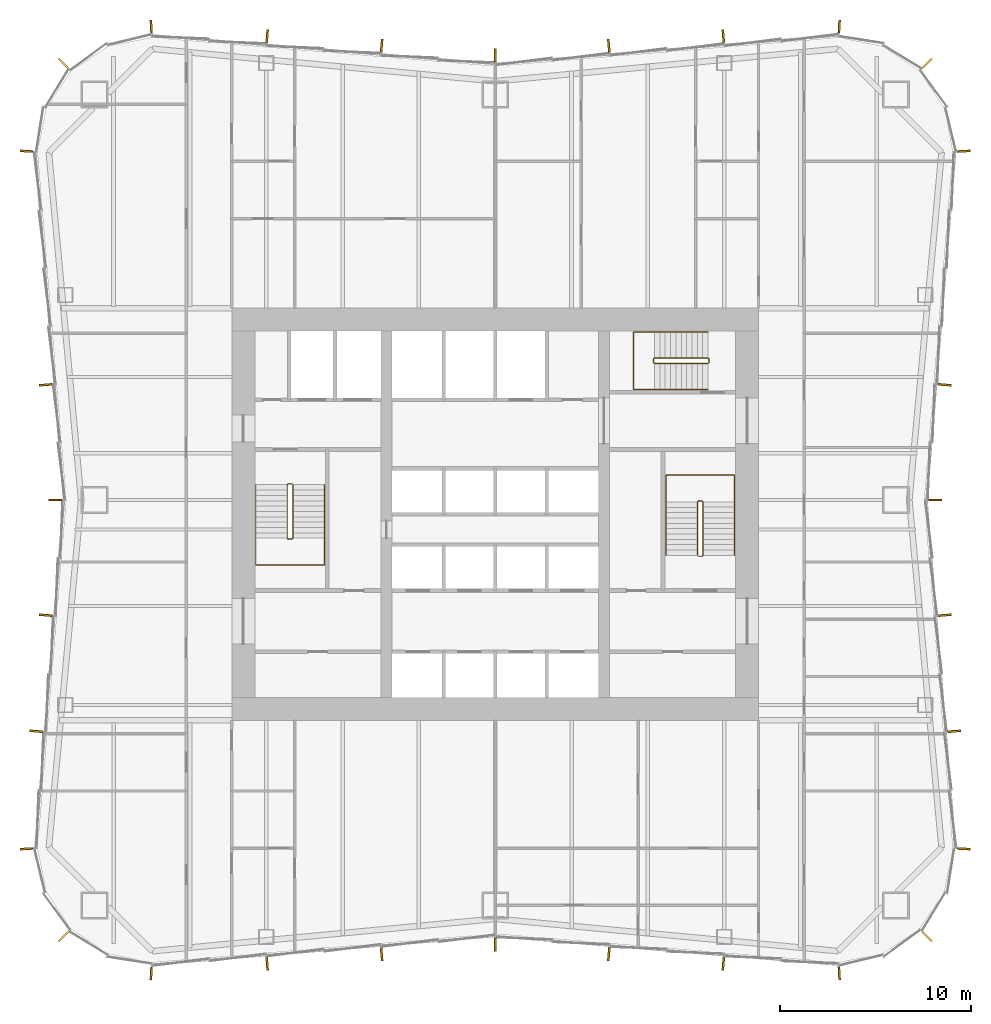
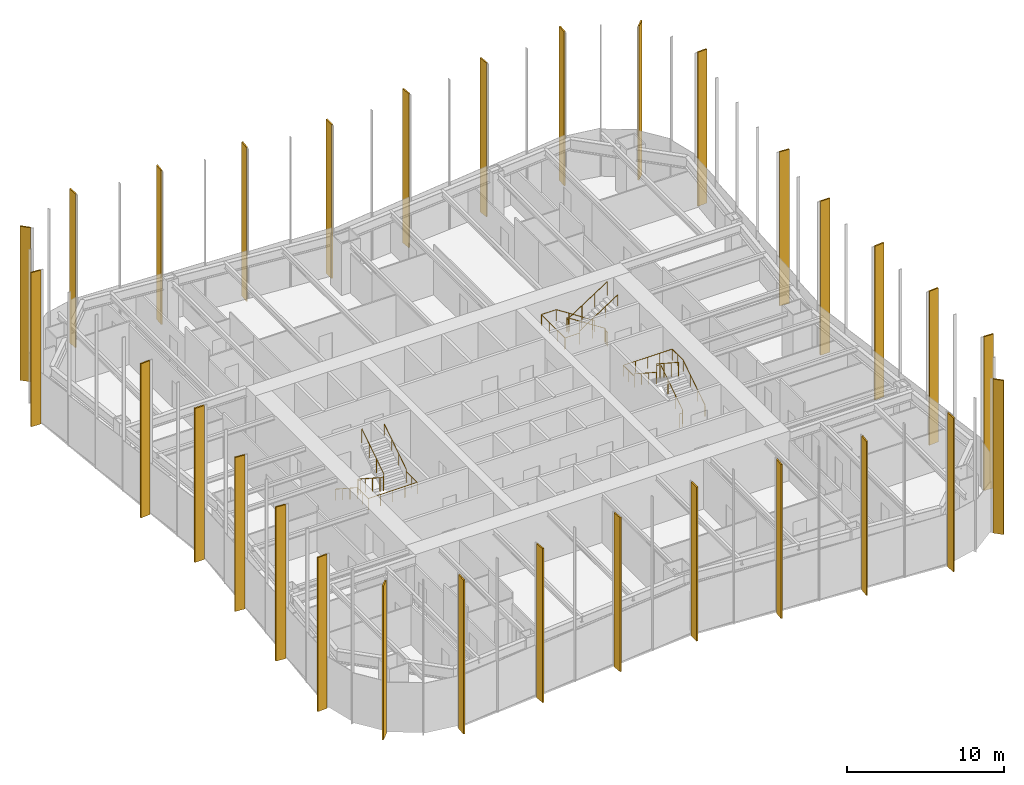
# One storey, part 13 of 13: 30 shading devices, 6 railings.
"""IFC4 building model written with IfcOpenShell, lengths in metres."""

from ifc_helpers import new_model, si_unit, direction, frame, origin, origin_2d, place, context, subcontext, project, spatial, rectangle, circle, extrude, material, layer, layer_set, type_object, element, save


model = new_model("IFC4")

# Units and contexts
model_context = context("Model", 3, precision=1e-05, world=origin(), true_north=direction((0.0, 1.0)))
body_context = subcontext(model_context, "Body", "Model", "MODEL_VIEW")
ifc_project = project(units=[si_unit("LENGTHUNIT", "METRE"), si_unit("AREAUNIT", "SQUARE_METRE"), si_unit("VOLUMEUNIT", "CUBIC_METRE"), si_unit("PLANEANGLEUNIT", "RADIAN"), si_unit("MASSUNIT", "GRAM", prefix="KILO")], contexts=[model_context])

# Site, building, storey
site_placement = place(None, origin())
site = spatial("IfcSite", under=ifc_project, at=site_placement, CompositionType="ELEMENT")
building_placement = place(site_placement, origin())
building = spatial("IfcBuilding", under=site, at=building_placement, Name="Verdant Reach Tower", CompositionType="ELEMENT")
storey_placement = place(building_placement, frame((0.0, 0.0, 82.0)))
storey = spatial("IfcBuildingStorey", under=building, at=storey_placement, Name="L18", CompositionType="ELEMENT", Elevation=82.0)

# Railings
ifc_material_1 = material(Name="Stainless steel", Category="steel")
railing_type_1 = type_object("IfcRailingType", Name="CO-GUARD", PredefinedType="GUARDRAIL", material=ifc_material_1)
railing_1_placement = place(storey_placement, frame((-10.64990234375, 29.60009765625, 0.0)))
element("IfcRailing", 1, at=railing_1_placement, inside=storey, type_object=railing_type_1, Name="L18 ST-1 stair guard 1", PredefinedType="GUARDRAIL", context=body_context, shape_type="SweptSolid", body=[
    extrude(circle(Radius=0.02392578125, at=origin_2d()), frame((0.0, 0.0, 1.076171875), z_axis=(-1.0, 0.0, 0.0), x_axis=(0.0, -1.0, 0.0)), (0.0, 0.0, 1.0), 0.2001953125),
    extrude(circle(Radius=0.02392578125, at=origin_2d()), frame((-0.2001953125, 0.0, 1.076171875), z_axis=(-0.25526617399, -0.256517478764, 0.932222056972), x_axis=(0.708833529934, -0.705375805398, 0.0)), (0.0, 0.0, 1.0), 0.195068359375),
    extrude(circle(Radius=0.02392578125, at=origin_2d()), frame((-0.25, -0.050048828125, 1.2578125), z_axis=(0.0, -0.838705829183, 0.544584733623), x_axis=(1.0, 0.0, 0.0)), (0.0, 0.0, 1.0), 3.338623046875),
    extrude(circle(Radius=0.02392578125, at=origin_2d()), frame((-0.25, -2.85009765625, 3.076171875), z_axis=(0.705375805398, -0.708833529934, 0.0), x_axis=(0.708833529934, 0.705375805398, 0.0)), (0.0, 0.0, 1.0), 0.070556640625),
    extrude(circle(Radius=0.02392578125, at=origin_2d()), frame((-0.2001953125, -2.900146484375, 3.076171875), z_axis=(1.0, 0.0, 0.0), x_axis=(0.0, 1.0, 0.0)), (0.0, 0.0, 1.0), 0.2001953125),
    extrude(circle(Radius=0.02392578125, at=origin_2d()), frame((0.0, -2.900146484375, 3.076171875), z_axis=(0.25526617399, 0.256517478764, 0.932222056972), x_axis=(-0.708833529934, 0.705375805398, 0.0)), (0.0, 0.0, 1.0), 0.195068359375),
    extrude(circle(Radius=0.02392578125, at=origin_2d()), frame((0.0498046875, -2.85009765625, 3.2578125), z_axis=(0.0, 0.838705829183, 0.544584733623), x_axis=(-1.0, 0.0, 0.0)), (0.0, 0.0, 1.0), 3.338623046875),
    extrude(circle(Radius=0.02099609375, at=origin_2d()), origin(), (0.0, 0.0, 1.0), 1.052001953125),
    extrude(circle(Radius=0.02099609375, at=origin_2d()), frame((-0.2001953125, 0.0, 0.0)), (0.0, 0.0, 1.0), 1.052001953125),
    extrude(circle(Radius=0.02099609375, at=origin_2d()), frame((-0.25, -0.050048828125, 0.181884765625)), (0.0, 0.0, 1.0), 1.052001953125),
    extrude(circle(Radius=0.02099609375, at=origin_2d()), frame((-0.25, -0.9833984375, 0.787841796875)), (0.0, 0.0, 1.0), 1.052001953125),
    extrude(circle(Radius=0.02099609375, at=origin_2d()), frame((-0.25, -1.916748046875, 1.39404296875)), (0.0, 0.0, 1.0), 1.052001953125),
    extrude(circle(Radius=0.02099609375, at=origin_2d()), frame((-0.25, -2.85009765625, 2.0)), (0.0, 0.0, 1.0), 1.052001953125),
    extrude(circle(Radius=0.02099609375, at=origin_2d()), frame((-0.2001953125, -2.900146484375, 2.0)), (0.0, 0.0, 1.0), 1.052001953125),
    extrude(circle(Radius=0.02099609375, at=origin_2d()), frame((0.0, -2.900146484375, 2.0)), (0.0, 0.0, 1.0), 1.052001953125),
    extrude(circle(Radius=0.02099609375, at=origin_2d()), frame((0.0498046875, -2.85009765625, 2.181884765625)), (0.0, 0.0, 1.0), 1.052001953125),
    extrude(circle(Radius=0.02099609375, at=origin_2d()), frame((0.0498046875, -1.916748046875, 2.787841796875)), (0.0, 0.0, 1.0), 1.052001953125),
    extrude(circle(Radius=0.02099609375, at=origin_2d()), frame((0.0498046875, -0.9833984375, 3.39404296875)), (0.0, 0.0, 1.0), 1.052001953125),
    extrude(circle(Radius=0.02099609375, at=origin_2d()), frame((0.0498046875, -0.050048828125, 4.0)), (0.0, 0.0, 1.0), 1.052001953125),
])
railing_2_placement = place(storey_placement, frame((10.64990234375, 25.800048828125, 0.0)))
element("IfcRailing", 2, at=railing_2_placement, inside=storey, type_object=railing_type_1, Name="L18 ST-2 stair guard 1", PredefinedType="GUARDRAIL", context=body_context, shape_type="SweptSolid", body=[
    extrude(circle(Radius=0.02392578125, at=origin_2d()), frame((0.0, 0.0, 1.076171875), z_axis=(1.0, 0.0, 0.0), x_axis=(0.0, 1.0, 0.0)), (0.0, 0.0, 1.0), 0.2001953125),
    extrude(circle(Radius=0.02392578125, at=origin_2d()), frame((0.2001953125, 0.0, 1.076171875), z_axis=(0.25526617399, 0.256517478764, 0.932222056972), x_axis=(-0.708833529934, 0.705375805398, 0.0)), (0.0, 0.0, 1.0), 0.195068359375),
    extrude(circle(Radius=0.02392578125, at=origin_2d()), frame((0.25, 0.050048828125, 1.2578125), z_axis=(0.0, 0.83868413941, 0.544618136222), x_axis=(-1.0, 0.0, 0.0)), (0.0, 0.0, 1.0), 3.33837890625),
    extrude(circle(Radius=0.02392578125, at=origin_2d()), frame((0.25, 2.849853515625, 3.076171875), z_axis=(-0.705375805398, 0.708833529934, 0.0), x_axis=(-0.708833529934, -0.705375805398, 0.0)), (0.0, 0.0, 1.0), 0.070556640625),
    extrude(circle(Radius=0.02392578125, at=origin_2d()), frame((0.2001953125, 2.89990234375, 3.076171875), z_axis=(-1.0, 0.0, 0.0), x_axis=(0.0, -1.0, 0.0)), (0.0, 0.0, 1.0), 0.2001953125),
    extrude(circle(Radius=0.02392578125, at=origin_2d()), frame((0.0, 2.89990234375, 3.076171875), z_axis=(-0.25526617399, -0.256517478764, 0.932222056972), x_axis=(0.708833529934, -0.705375805398, 0.0)), (0.0, 0.0, 1.0), 0.195068359375),
    extrude(circle(Radius=0.02392578125, at=origin_2d()), frame((-0.0498046875, 2.849853515625, 3.2578125), z_axis=(0.0, -0.83868413941, 0.544618136222), x_axis=(1.0, 0.0, 0.0)), (0.0, 0.0, 1.0), 3.33837890625),
    extrude(circle(Radius=0.02099609375, at=origin_2d()), origin(), (0.0, 0.0, 1.0), 1.052001953125),
    extrude(circle(Radius=0.02099609375, at=origin_2d()), frame((0.2001953125, 0.0, 0.0)), (0.0, 0.0, 1.0), 1.052001953125),
    extrude(circle(Radius=0.02099609375, at=origin_2d()), frame((0.25, 0.050048828125, 0.181884765625)), (0.0, 0.0, 1.0), 1.052001953125),
    extrude(circle(Radius=0.02099609375, at=origin_2d()), frame((0.25, 0.9833984375, 0.787841796875)), (0.0, 0.0, 1.0), 1.052001953125),
    extrude(circle(Radius=0.02099609375, at=origin_2d()), frame((0.25, 1.91650390625, 1.39404296875)), (0.0, 0.0, 1.0), 1.052001953125),
    extrude(circle(Radius=0.02099609375, at=origin_2d()), frame((0.25, 2.849853515625, 2.0)), (0.0, 0.0, 1.0), 1.052001953125),
    extrude(circle(Radius=0.02099609375, at=origin_2d()), frame((0.2001953125, 2.89990234375, 2.0)), (0.0, 0.0, 1.0), 1.052001953125),
    extrude(circle(Radius=0.02099609375, at=origin_2d()), frame((0.0, 2.89990234375, 2.0)), (0.0, 0.0, 1.0), 1.052001953125),
    extrude(circle(Radius=0.02099609375, at=origin_2d()), frame((-0.0498046875, 2.849853515625, 2.181884765625)), (0.0, 0.0, 1.0), 1.052001953125),
    extrude(circle(Radius=0.02099609375, at=origin_2d()), frame((-0.0498046875, 1.91650390625, 2.787841796875)), (0.0, 0.0, 1.0), 1.052001953125),
    extrude(circle(Radius=0.02099609375, at=origin_2d()), frame((-0.0498046875, 0.9833984375, 3.39404296875)), (0.0, 0.0, 1.0), 1.052001953125),
    extrude(circle(Radius=0.02099609375, at=origin_2d()), frame((-0.0498046875, 0.050048828125, 4.0)), (0.0, 0.0, 1.0), 1.052001953125),
])
railing_3_placement = place(storey_placement, frame((11.199951171875, 35.949951171875, 0.0)))
element("IfcRailing", 3, at=railing_3_placement, inside=storey, type_object=railing_type_1, Name="L18 ST-3 stair guard 1", PredefinedType="GUARDRAIL", context=body_context, shape_type="SweptSolid", body=[
    extrude(circle(Radius=0.02392578125, at=origin_2d()), frame((0.0, 0.0, 1.076171875), z_axis=(0.0, 1.0, 0.0), x_axis=(-1.0, 0.0, 0.0)), (0.0, 0.0, 1.0), 0.199951171875),
    extrude(circle(Radius=0.02392578125, at=origin_2d()), frame((0.0, 0.199951171875, 1.076171875), z_axis=(-0.256435381639, 0.256435381639, 0.931923704005), x_axis=(-0.707106781187, -0.707106781187, 0.0)), (0.0, 0.0, 1.0), 0.195068359375),
    extrude(circle(Radius=0.02392578125, at=origin_2d()), frame((-0.050048828125, 0.25, 1.2578125), z_axis=(-0.83868413941, 0.0, 0.544618136222), x_axis=(0.0, -1.0, 0.0)), (0.0, 0.0, 1.0), 3.33837890625),
    extrude(circle(Radius=0.02392578125, at=origin_2d()), frame((-2.849853515625, 0.25, 3.076171875), z_axis=(-0.707106781187, -0.707106781187, 0.0), x_axis=(0.707106781187, -0.707106781187, 0.0)), (0.0, 0.0, 1.0), 0.07080078125),
    extrude(circle(Radius=0.02392578125, at=origin_2d()), frame((-2.89990234375, 0.199951171875, 3.076171875), z_axis=(0.0, -1.0, 0.0), x_axis=(1.0, 0.0, 0.0)), (0.0, 0.0, 1.0), 0.199951171875),
    extrude(circle(Radius=0.02392578125, at=origin_2d()), frame((-2.89990234375, 0.0, 3.076171875), z_axis=(0.256435381639, -0.256435381639, 0.931923704005), x_axis=(0.707106781187, 0.707106781187, 0.0)), (0.0, 0.0, 1.0), 0.195068359375),
    extrude(circle(Radius=0.02392578125, at=origin_2d()), frame((-2.849853515625, -0.050048828125, 3.2578125), z_axis=(0.83868413941, 0.0, 0.544618136222), x_axis=(0.0, 1.0, 0.0)), (0.0, 0.0, 1.0), 3.33837890625),
    extrude(circle(Radius=0.02099609375, at=origin_2d()), origin(), (0.0, 0.0, 1.0), 1.052001953125),
    extrude(circle(Radius=0.02099609375, at=origin_2d()), frame((0.0, 0.199951171875, 0.0)), (0.0, 0.0, 1.0), 1.052001953125),
    extrude(circle(Radius=0.02099609375, at=origin_2d()), frame((-0.050048828125, 0.25, 0.181884765625)), (0.0, 0.0, 1.0), 1.052001953125),
    extrude(circle(Radius=0.02099609375, at=origin_2d()), frame((-0.9833984375, 0.25, 0.787841796875)), (0.0, 0.0, 1.0), 1.052001953125),
    extrude(circle(Radius=0.02099609375, at=origin_2d()), frame((-1.91650390625, 0.25, 1.39404296875)), (0.0, 0.0, 1.0), 1.052001953125),
    extrude(circle(Radius=0.02099609375, at=origin_2d()), frame((-2.849853515625, 0.25, 2.0)), (0.0, 0.0, 1.0), 1.052001953125),
    extrude(circle(Radius=0.02099609375, at=origin_2d()), frame((-2.89990234375, 0.199951171875, 2.0)), (0.0, 0.0, 1.0), 1.052001953125),
    extrude(circle(Radius=0.02099609375, at=origin_2d()), frame((-2.89990234375, 0.0, 2.0)), (0.0, 0.0, 1.0), 1.052001953125),
    extrude(circle(Radius=0.02099609375, at=origin_2d()), frame((-2.849853515625, -0.050048828125, 2.181884765625)), (0.0, 0.0, 1.0), 1.052001953125),
    extrude(circle(Radius=0.02099609375, at=origin_2d()), frame((-1.91650390625, -0.050048828125, 2.787841796875)), (0.0, 0.0, 1.0), 1.052001953125),
    extrude(circle(Radius=0.02099609375, at=origin_2d()), frame((-0.9833984375, -0.050048828125, 3.39404296875)), (0.0, 0.0, 1.0), 1.052001953125),
    extrude(circle(Radius=0.02099609375, at=origin_2d()), frame((-0.050048828125, -0.050048828125, 4.0)), (0.0, 0.0, 1.0), 1.052001953125),
])
railing_type_2 = type_object("IfcRailingType", Name="CO-HANDRAIL", PredefinedType="HANDRAIL", material=ifc_material_1)
railing_4_placement = place(storey_placement, frame((-12.550048828125, 29.550048828125, 0.181884765625)))
element("IfcRailing", 4, at=railing_4_placement, inside=storey, type_object=railing_type_2, Name="L18 ST-1 stair handrail 1", PredefinedType="HANDRAIL", context=body_context, shape_type="SweptSolid", body=[
    extrude(circle(Radius=0.02392578125, at=origin_2d()), frame((0.0, 0.0, 0.8759765625), z_axis=(0.0, -0.838705829183, 0.544584733623), x_axis=(1.0, 0.0, 0.0)), (0.0, 0.0, 1.0), 3.338623046875),
    extrude(circle(Radius=0.02392578125, at=origin_2d()), frame((0.0, -2.800048828125, 2.69384765625), z_axis=(0.0, -1.0, 0.0), x_axis=(1.0, 0.0, 0.0)), (0.0, 0.0, 1.0), 1.39990234375),
    extrude(circle(Radius=0.02392578125, at=origin_2d()), frame((0.0, -4.199951171875, 2.69384765625), z_axis=(1.0, 0.0, 0.0), x_axis=(0.0, 1.0, 0.0)), (0.0, 0.0, 1.0), 3.60009765625),
    extrude(circle(Radius=0.02392578125, at=origin_2d()), frame((3.60009765625, -4.199951171875, 2.69384765625), z_axis=(0.0, 1.0, 0.0), x_axis=(-1.0, 0.0, 0.0)), (0.0, 0.0, 1.0), 1.39990234375),
    extrude(circle(Radius=0.02392578125, at=origin_2d()), frame((3.60009765625, -2.800048828125, 2.69384765625), z_axis=(0.0, 0.0, 1.0), x_axis=(1.0, 0.0, 0.0)), (0.0, 0.0, 1.0), 0.181884765625),
    extrude(circle(Radius=0.02392578125, at=origin_2d()), frame((3.60009765625, -2.800048828125, 2.8759765625), z_axis=(0.0, 0.838705829183, 0.544584733623), x_axis=(-1.0, 0.0, 0.0)), (0.0, 0.0, 1.0), 3.338623046875),
    extrude(circle(Radius=0.02099609375, at=origin_2d()), origin(), (0.0, 0.0, 1.0), 0.851806640625),
    extrude(circle(Radius=0.02099609375, at=origin_2d()), frame((0.0, -0.933349609375, 0.60595703125)), (0.0, 0.0, 1.0), 0.851806640625),
    extrude(circle(Radius=0.02099609375, at=origin_2d()), frame((0.0, -1.86669921875, 1.212158203125)), (0.0, 0.0, 1.0), 0.851806640625),
    extrude(circle(Radius=0.02099609375, at=origin_2d()), frame((0.0, -2.800048828125, 1.818115234375)), (0.0, 0.0, 1.0), 0.851806640625),
    extrude(circle(Radius=0.02099609375, at=origin_2d()), frame((0.0, -3.5, 1.818115234375)), (0.0, 0.0, 1.0), 0.851806640625),
    extrude(circle(Radius=0.02099609375, at=origin_2d()), frame((0.0, -4.199951171875, 1.818115234375)), (0.0, 0.0, 1.0), 0.851806640625),
    extrude(circle(Radius=0.02099609375, at=origin_2d()), frame((0.89990234375, -4.199951171875, 1.818115234375)), (0.0, 0.0, 1.0), 0.851806640625),
    extrude(circle(Radius=0.02099609375, at=origin_2d()), frame((1.800048828125, -4.199951171875, 1.818115234375)), (0.0, 0.0, 1.0), 0.851806640625),
    extrude(circle(Radius=0.02099609375, at=origin_2d()), frame((2.7001953125, -4.199951171875, 1.818115234375)), (0.0, 0.0, 1.0), 0.851806640625),
    extrude(circle(Radius=0.02099609375, at=origin_2d()), frame((3.60009765625, -4.199951171875, 1.818115234375)), (0.0, 0.0, 1.0), 0.851806640625),
    extrude(circle(Radius=0.02099609375, at=origin_2d()), frame((3.60009765625, -3.5, 1.818115234375)), (0.0, 0.0, 1.0), 0.851806640625),
    extrude(circle(Radius=0.02099609375, at=origin_2d()), frame((3.60009765625, -2.800048828125, 1.818115234375)), (0.0, 0.0, 1.0), 0.851806640625),
    extrude(circle(Radius=0.02099609375, at=origin_2d()), frame((3.60009765625, -2.800048828125, 2.0)), (0.0, 0.0, 1.0), 0.851806640625),
    extrude(circle(Radius=0.02099609375, at=origin_2d()), frame((3.60009765625, -1.86669921875, 2.60595703125)), (0.0, 0.0, 1.0), 0.851806640625),
    extrude(circle(Radius=0.02099609375, at=origin_2d()), frame((3.60009765625, -0.933349609375, 3.212158203125)), (0.0, 0.0, 1.0), 0.851806640625),
    extrude(circle(Radius=0.02099609375, at=origin_2d()), frame((3.60009765625, 0.0, 3.818115234375)), (0.0, 0.0, 1.0), 0.851806640625),
])
railing_5_placement = place(storey_placement, frame((12.550048828125, 25.85009765625, 0.181884765625)))
element("IfcRailing", 5, at=railing_5_placement, inside=storey, type_object=railing_type_2, Name="L18 ST-2 stair handrail 1", PredefinedType="HANDRAIL", context=body_context, shape_type="SweptSolid", body=[
    extrude(circle(Radius=0.02392578125, at=origin_2d()), frame((0.0, 0.0, 0.8759765625), z_axis=(0.0, 0.83868413941, 0.544618136222), x_axis=(-1.0, 0.0, 0.0)), (0.0, 0.0, 1.0), 3.33837890625),
    extrude(circle(Radius=0.02392578125, at=origin_2d()), frame((0.0, 2.7998046875, 2.69384765625), z_axis=(0.0, 1.0, 0.0), x_axis=(-1.0, 0.0, 0.0)), (0.0, 0.0, 1.0), 1.400146484375),
    extrude(circle(Radius=0.02392578125, at=origin_2d()), frame((0.0, 4.199951171875, 2.69384765625), z_axis=(-1.0, 0.0, 0.0), x_axis=(0.0, -1.0, 0.0)), (0.0, 0.0, 1.0), 3.60009765625),
    extrude(circle(Radius=0.02392578125, at=origin_2d()), frame((-3.60009765625, 4.199951171875, 2.69384765625), z_axis=(0.0, -1.0, 0.0), x_axis=(1.0, 0.0, 0.0)), (0.0, 0.0, 1.0), 1.400146484375),
    extrude(circle(Radius=0.02392578125, at=origin_2d()), frame((-3.60009765625, 2.7998046875, 2.69384765625), z_axis=(0.0, 0.0, 1.0), x_axis=(1.0, 0.0, 0.0)), (0.0, 0.0, 1.0), 0.181884765625),
    extrude(circle(Radius=0.02392578125, at=origin_2d()), frame((-3.60009765625, 2.7998046875, 2.8759765625), z_axis=(0.0, -0.83868413941, 0.544618136222), x_axis=(1.0, 0.0, 0.0)), (0.0, 0.0, 1.0), 3.33837890625),
    extrude(circle(Radius=0.02099609375, at=origin_2d()), origin(), (0.0, 0.0, 1.0), 0.851806640625),
    extrude(circle(Radius=0.02099609375, at=origin_2d()), frame((0.0, 0.933349609375, 0.60595703125)), (0.0, 0.0, 1.0), 0.851806640625),
    extrude(circle(Radius=0.02099609375, at=origin_2d()), frame((0.0, 1.866455078125, 1.212158203125)), (0.0, 0.0, 1.0), 0.851806640625),
    extrude(circle(Radius=0.02099609375, at=origin_2d()), frame((0.0, 2.7998046875, 1.818115234375)), (0.0, 0.0, 1.0), 0.851806640625),
    extrude(circle(Radius=0.02099609375, at=origin_2d()), frame((0.0, 3.5, 1.818115234375)), (0.0, 0.0, 1.0), 0.851806640625),
    extrude(circle(Radius=0.02099609375, at=origin_2d()), frame((0.0, 4.199951171875, 1.818115234375)), (0.0, 0.0, 1.0), 0.851806640625),
    extrude(circle(Radius=0.02099609375, at=origin_2d()), frame((-0.89990234375, 4.199951171875, 1.818115234375)), (0.0, 0.0, 1.0), 0.851806640625),
    extrude(circle(Radius=0.02099609375, at=origin_2d()), frame((-1.800048828125, 4.199951171875, 1.818115234375)), (0.0, 0.0, 1.0), 0.851806640625),
    extrude(circle(Radius=0.02099609375, at=origin_2d()), frame((-2.7001953125, 4.199951171875, 1.818115234375)), (0.0, 0.0, 1.0), 0.851806640625),
    extrude(circle(Radius=0.02099609375, at=origin_2d()), frame((-3.60009765625, 4.199951171875, 1.818115234375)), (0.0, 0.0, 1.0), 0.851806640625),
    extrude(circle(Radius=0.02099609375, at=origin_2d()), frame((-3.60009765625, 3.5, 1.818115234375)), (0.0, 0.0, 1.0), 0.851806640625),
    extrude(circle(Radius=0.02099609375, at=origin_2d()), frame((-3.60009765625, 2.7998046875, 1.818115234375)), (0.0, 0.0, 1.0), 0.851806640625),
    extrude(circle(Radius=0.02099609375, at=origin_2d()), frame((-3.60009765625, 2.7998046875, 2.0)), (0.0, 0.0, 1.0), 0.851806640625),
    extrude(circle(Radius=0.02099609375, at=origin_2d()), frame((-3.60009765625, 1.866455078125, 2.60595703125)), (0.0, 0.0, 1.0), 0.851806640625),
    extrude(circle(Radius=0.02099609375, at=origin_2d()), frame((-3.60009765625, 0.933349609375, 3.212158203125)), (0.0, 0.0, 1.0), 0.851806640625),
    extrude(circle(Radius=0.02099609375, at=origin_2d()), frame((-3.60009765625, 0.0, 3.818115234375)), (0.0, 0.0, 1.0), 0.851806640625),
])
railing_6_placement = place(storey_placement, frame((11.14990234375, 37.550048828125, 0.181884765625)))
element("IfcRailing", 6, at=railing_6_placement, inside=storey, type_object=railing_type_2, Name="L18 ST-3 stair handrail 1", PredefinedType="HANDRAIL", context=body_context, shape_type="SweptSolid", body=[
    extrude(circle(Radius=0.02392578125, at=origin_2d()), frame((0.0, 0.0, 0.8759765625), z_axis=(-0.83868413941, 0.0, 0.544618136222), x_axis=(0.0, -1.0, 0.0)), (0.0, 0.0, 1.0), 3.33837890625),
    extrude(circle(Radius=0.02392578125, at=origin_2d()), frame((-2.7998046875, 0.0, 2.69384765625), z_axis=(-1.0, 0.0, 0.0), x_axis=(0.0, -1.0, 0.0)), (0.0, 0.0, 1.0), 1.10009765625),
    extrude(circle(Radius=0.02392578125, at=origin_2d()), frame((-3.89990234375, 0.0, 2.69384765625), z_axis=(0.0, -1.0, 0.0), x_axis=(1.0, 0.0, 0.0)), (0.0, 0.0, 1.0), 3.0),
    extrude(circle(Radius=0.02392578125, at=origin_2d()), frame((-3.89990234375, -3.0, 2.69384765625), z_axis=(1.0, 0.0, 0.0), x_axis=(0.0, 1.0, 0.0)), (0.0, 0.0, 1.0), 1.10009765625),
    extrude(circle(Radius=0.02392578125, at=origin_2d()), frame((-2.7998046875, -3.0, 2.69384765625), z_axis=(0.0, 0.0, 1.0), x_axis=(1.0, 0.0, 0.0)), (0.0, 0.0, 1.0), 0.181884765625),
    extrude(circle(Radius=0.02392578125, at=origin_2d()), frame((-2.7998046875, -3.0, 2.8759765625), z_axis=(0.83868413941, 0.0, 0.544618136222), x_axis=(0.0, 1.0, 0.0)), (0.0, 0.0, 1.0), 3.33837890625),
    extrude(circle(Radius=0.02099609375, at=origin_2d()), origin(), (0.0, 0.0, 1.0), 0.851806640625),
    extrude(circle(Radius=0.02099609375, at=origin_2d()), frame((-0.933349609375, 0.0, 0.60595703125)), (0.0, 0.0, 1.0), 0.851806640625),
    extrude(circle(Radius=0.02099609375, at=origin_2d()), frame((-1.866455078125, 0.0, 1.212158203125)), (0.0, 0.0, 1.0), 0.851806640625),
    extrude(circle(Radius=0.02099609375, at=origin_2d()), frame((-2.7998046875, 0.0, 1.818115234375)), (0.0, 0.0, 1.0), 0.851806640625),
    extrude(circle(Radius=0.02099609375, at=origin_2d()), frame((-3.89990234375, 0.0, 1.818115234375)), (0.0, 0.0, 1.0), 0.851806640625),
    extrude(circle(Radius=0.02099609375, at=origin_2d()), frame((-3.89990234375, -1.0, 1.818115234375)), (0.0, 0.0, 1.0), 0.851806640625),
    extrude(circle(Radius=0.02099609375, at=origin_2d()), frame((-3.89990234375, -2.0, 1.818115234375)), (0.0, 0.0, 1.0), 0.851806640625),
    extrude(circle(Radius=0.02099609375, at=origin_2d()), frame((-3.89990234375, -3.0, 1.818115234375)), (0.0, 0.0, 1.0), 0.851806640625),
    extrude(circle(Radius=0.02099609375, at=origin_2d()), frame((-2.7998046875, -3.0, 1.818115234375)), (0.0, 0.0, 1.0), 0.851806640625),
    extrude(circle(Radius=0.02099609375, at=origin_2d()), frame((-2.7998046875, -3.0, 2.0)), (0.0, 0.0, 1.0), 0.851806640625),
    extrude(circle(Radius=0.02099609375, at=origin_2d()), frame((-1.866455078125, -3.0, 2.60595703125)), (0.0, 0.0, 1.0), 0.851806640625),
    extrude(circle(Radius=0.02099609375, at=origin_2d()), frame((-0.933349609375, -3.0, 3.212158203125)), (0.0, 0.0, 1.0), 0.851806640625),
    extrude(circle(Radius=0.02099609375, at=origin_2d()), frame((0.0, -3.0, 3.818115234375)), (0.0, 0.0, 1.0), 0.851806640625),
])

# Shading devices
ifc_material_2 = material(Name="Bronze fin, champagne", Category="aluminium")
ifc_layer_1 = layer(ifc_material_2, 0.10009765625)
ifc_layer_set_1 = layer_set([ifc_layer_1], Name="EN-FIN CHAMPAGNE")
shading_device_type_1 = type_object("IfcShadingDeviceType", Name="EN-FIN CHAMPAGNE", PredefinedType="USERDEFINED", material=ifc_layer_set_1)
for number, where, z_axis, x_axis, name in (
    (7, (18.031494140625, 3.94482421875, -0.35009765625), (0.0, 0.0, 1.0), (0.998398681387, 0.056569187765, 0.0), "Fin south-east corner 1, L18"),
    (8, (23.55419921875, 22.712158203125, -0.35009765625), (0.0, 0.0, 1.0), (-0.081915556724, 0.996639273542, 0.0), "Fin east face part 1 5, L18"),
    (9, (23.055908203125, 28.75, -0.35009765625), (0.0, 0.0, 1.0), (0.0, 1.0, 0.0), "Fin east face part 2 1, L18"),
    (10, (11.953857421875, 53.05419921875, -0.35009765625), (0.0, 0.0, 1.0), (-0.996545758244, -0.083045479859, 0.0), "Fin north face part 1 3, L18"),
    (11, (5.953857421875, 52.55419921875, -0.35009765625), (0.0, 0.0, 1.0), (-0.996545758244, -0.083045479859, 0.0), "Fin north face part 1 5, L18"),
    (12, (-11.953857421875, 53.05419921875, -0.35009765625), (0.0, 0.0, 1.0), (-0.996545758244, 0.083045479859, 0.0), "Fin north face part 2 5, L18"),
    (13, (-22.6357421875, 51.6357421875, -0.35009765625), (0.0, 0.0, 1.0), (-0.707106781187, -0.707106781187, 0.0), "Fin north-west corner 3, L18"),
    (14, (-23.55419921875, 22.712158203125, -0.35009765625), (0.0, 0.0, 1.0), (-0.081915556724, -0.996639273542, 0.0), "Fin west face part 2 3, L18"),
    (15, (-24.05419921875, 16.62890625, -0.35009765625), (0.0, 0.0, 1.0), (-0.081915556724, -0.996639273542, 0.0), "Fin west face part 2 5, L18"),
    (16, (-22.6357421875, 5.8642578125, -0.35009765625), (0.0, 0.0, 1.0), (0.707106781187, -0.707106781187, 0.0), "Fin south-west corner 3, L18"),
    (17, (-18.031494140625, 3.94482421875, -0.35009765625), (0.0, 0.0, 1.0), (0.998398681387, -0.056569187765, 0.0), "Fin south face part 1 1, L18"),
    (18, (0.0, 5.444091796875, -0.35009765625), (0.0, 0.0, 1.0), (1.0, 0.0, 0.0), "Fin south face part 2 1, L18"),
):
    element("IfcShadingDevice", number, at=place(storey_placement, frame(where, z_axis=z_axis, x_axis=x_axis)), inside=storey, type_object=shading_device_type_1, Name=name, ObjectType="FIN", PredefinedType="USERDEFINED", context=body_context, shape_type="SweptSolid", body=[
        extrude(rectangle(XDim=0.10009765625, YDim=0.699951171875, at=origin_2d()), origin(), (0.0, 0.0, 1.0), 12.0),
    ])
ifc_material_3 = material(Name="Bronze fin, copper", Category="aluminium")
ifc_layer_2 = layer(ifc_material_3, 0.10009765625)
ifc_layer_set_2 = layer_set([ifc_layer_2], Name="EN-FIN COPPER")
shading_device_type_2 = type_object("IfcShadingDeviceType", Name="EN-FIN COPPER", PredefinedType="USERDEFINED", material=ifc_layer_set_2)
for number, where, z_axis, x_axis, name in (
    (19, (22.6357421875, 5.8642578125, -0.35009765625), (0.0, 0.0, 1.0), (0.707106781187, 0.707106781187, 0.0), "Fin south-east corner 3, L18"),
    (20, (24.55517578125, 10.46826171875, -0.35009765625), (0.0, 0.0, 1.0), (0.057135164055, 0.998366452275, 0.0), "Fin east face part 1 1, L18"),
    (21, (23.55419921875, 34.787841796875, -0.35009765625), (0.0, 0.0, 1.0), (0.081915556724, 0.996639273542, 0.0), "Fin east face part 2 3, L18"),
    (22, (24.55517578125, 47.03173828125, -0.35009765625), (0.0, 0.0, 1.0), (-0.057135164055, 0.998366452275, 0.0), "Fin north-east corner 1, L18"),
    (23, (0.0, 52.055908203125, -0.35009765625), (0.0, 0.0, 1.0), (-1.0, 0.0, 0.0), "Fin north face part 2 1, L18"),
    (24, (-23.55419921875, 34.787841796875, -0.35009765625), (0.0, 0.0, 1.0), (0.081915556724, -0.996639273542, 0.0), "Fin west face part 1 5, L18"),
    (25, (-11.953857421875, 4.44580078125, -0.35009765625), (0.0, 0.0, 1.0), (0.996545758244, 0.083045479859, 0.0), "Fin south face part 1 3, L18"),
    (26, (5.953857421875, 4.94580078125, -0.35009765625), (0.0, 0.0, 1.0), (0.996545758244, -0.083045479859, 0.0), "Fin south face part 2 3, L18"),
    (27, (11.953857421875, 4.44580078125, -0.35009765625), (0.0, 0.0, 1.0), (0.996545758244, -0.083045479859, 0.0), "Fin south face part 2 5, L18"),
):
    element("IfcShadingDevice", number, at=place(storey_placement, frame(where, z_axis=z_axis, x_axis=x_axis)), inside=storey, type_object=shading_device_type_2, Name=name, ObjectType="FIN", PredefinedType="USERDEFINED", context=body_context, shape_type="SweptSolid", body=[
        extrude(rectangle(XDim=0.10009765625, YDim=0.699951171875, at=origin_2d()), origin(), (0.0, 0.0, 1.0), 12.0),
    ])
ifc_material_4 = material(Name="Bronze fin, dark bronze", Category="aluminium")
ifc_layer_3 = layer(ifc_material_4, 0.10009765625)
ifc_layer_set_3 = layer_set([ifc_layer_3], Name="EN-FIN DARK")
shading_device_type_3 = type_object("IfcShadingDeviceType", Name="EN-FIN DARK", PredefinedType="USERDEFINED", material=ifc_layer_set_3)
for number, where, z_axis, x_axis, name in (
    (28, (24.05419921875, 16.62890625, -0.35009765625), (0.0, 0.0, 1.0), (-0.081915556724, 0.996639273542, 0.0), "Fin east face part 1 3, L18"),
    (29, (22.6357421875, 51.6357421875, -0.35009765625), (0.0, 0.0, 1.0), (-0.707106781187, 0.707106781187, 0.0), "Fin north-east corner 3, L18"),
    (30, (18.031494140625, 53.55517578125, -0.35009765625), (0.0, 0.0, 1.0), (-0.998398681387, 0.056569187765, 0.0), "Fin north face part 1 1, L18"),
    (31, (-5.953857421875, 52.55419921875, -0.35009765625), (0.0, 0.0, 1.0), (-0.996545758244, 0.083045479859, 0.0), "Fin north face part 2 3, L18"),
    (32, (-18.031494140625, 53.55517578125, -0.35009765625), (0.0, 0.0, 1.0), (-0.998398681387, -0.056569187765, 0.0), "Fin north-west corner 1, L18"),
    (33, (-24.55517578125, 47.03173828125, -0.35009765625), (0.0, 0.0, 1.0), (-0.057135164055, -0.998366452275, 0.0), "Fin west face part 1 1, L18"),
    (34, (-23.055908203125, 28.75, -0.35009765625), (0.0, 0.0, 1.0), (0.0, -1.0, 0.0), "Fin west face part 2 1, L18"),
    (35, (-24.55517578125, 10.46826171875, -0.35009765625), (0.0, 0.0, 1.0), (0.057135164055, -0.998366452275, 0.0), "Fin south-west corner 1, L18"),
    (36, (-5.953857421875, 4.94580078125, -0.35009765625), (0.0, 0.0, 1.0), (0.996545758244, 0.083045479859, 0.0), "Fin south face part 1 5, L18"),
):
    element("IfcShadingDevice", number, at=place(storey_placement, frame(where, z_axis=z_axis, x_axis=x_axis)), inside=storey, type_object=shading_device_type_3, Name=name, ObjectType="FIN", PredefinedType="USERDEFINED", context=body_context, shape_type="SweptSolid", body=[
        extrude(rectangle(XDim=0.10009765625, YDim=0.699951171875, at=origin_2d()), origin(), (0.0, 0.0, 1.0), 12.0),
    ])

save(model, "model.ifc")
